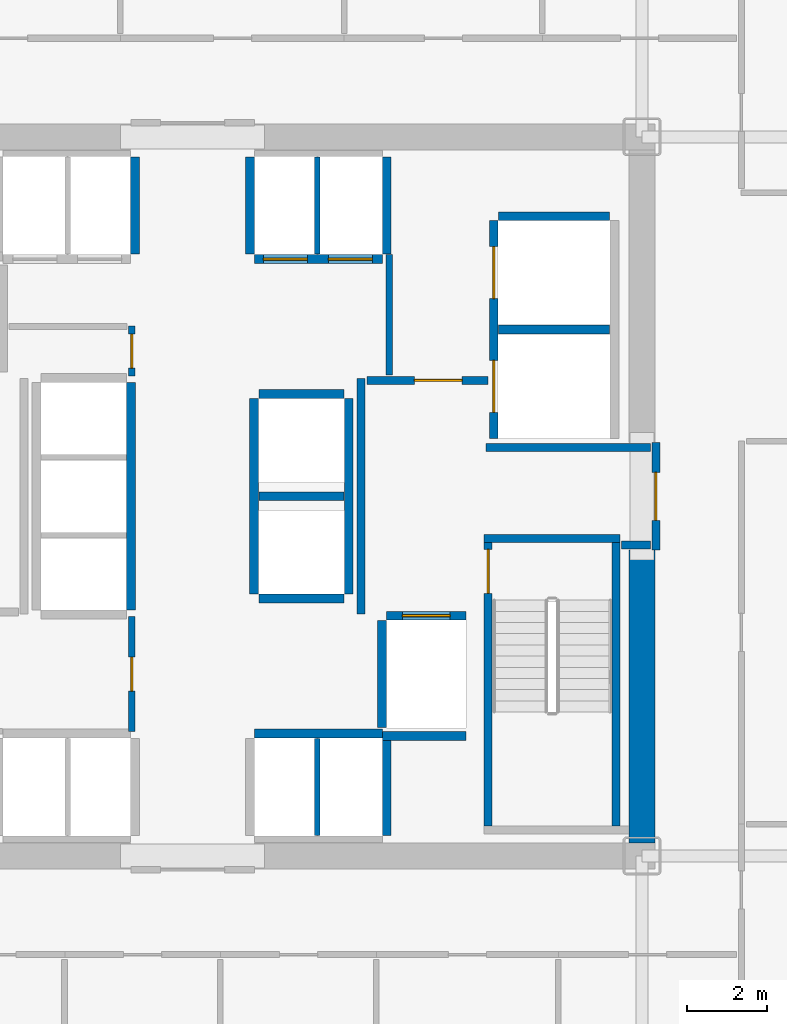
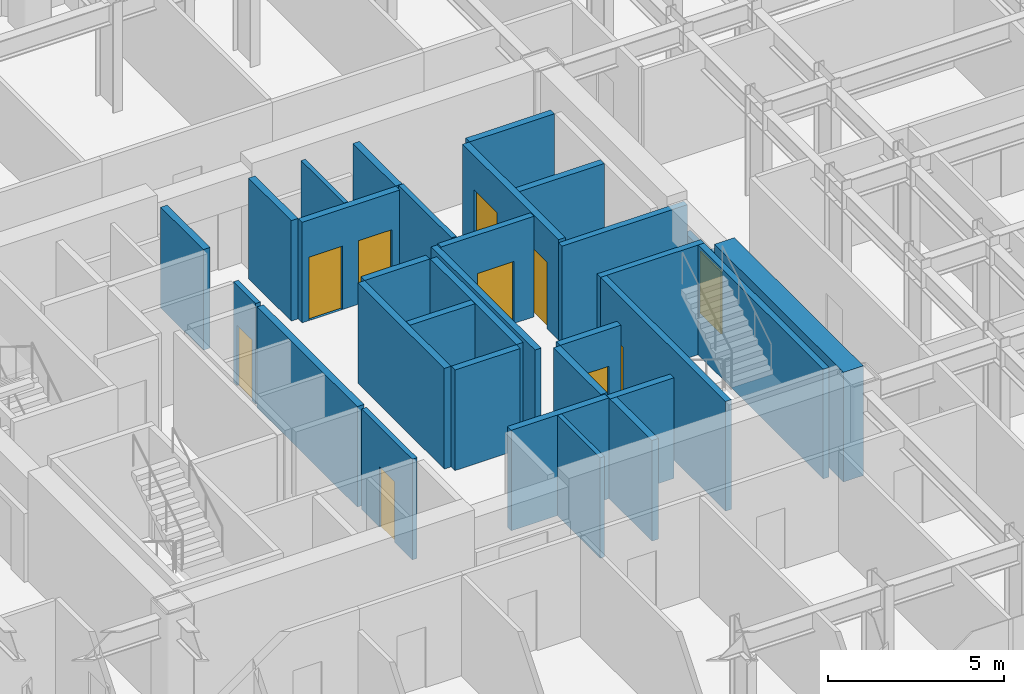
# One storey, part 22 of 26: 32 walls, 10 doors, 10 openings.
"""IFC4 building model written with IfcOpenShell, lengths in metres."""

from ifc_helpers import new_model, si_unit, direction, frame, frame_2d, origin, place, context, subcontext, project, spatial, rectangle, extrude, source, transform, mapped, material, layer, layer_set, type_object, element, fill, save


model = new_model("IFC4")

# Units and contexts
model_context = context("Model", 3, precision=1e-05, world=origin(), true_north=direction((0.0, 1.0)))
body_context = subcontext(model_context, "Body", "Model", "MODEL_VIEW")
ifc_project = project(units=[si_unit("LENGTHUNIT", "METRE"), si_unit("AREAUNIT", "SQUARE_METRE"), si_unit("VOLUMEUNIT", "CUBIC_METRE"), si_unit("PLANEANGLEUNIT", "RADIAN"), si_unit("MASSUNIT", "GRAM", prefix="KILO")], contexts=[model_context])

# Site, building, storey
site_placement = place(None, origin())
site = spatial("IfcSite", under=ifc_project, at=site_placement, CompositionType="ELEMENT")
building_placement = place(site_placement, origin())
building = spatial("IfcBuilding", under=site, at=building_placement, Name="Nefas-Gora Pilgrimage Tower", CompositionType="ELEMENT")
storey_placement = place(building_placement, frame((0.0, 0.0, 82.39990234375)))
storey = spatial("IfcBuildingStorey", under=building, at=storey_placement, Name="L19", CompositionType="ELEMENT", Elevation=82.39990234375)

# Walls
ifc_material_1 = material(Name="Concrete C60/75", Category="concrete")
ifc_layer_1 = layer(ifc_material_1, 0.64990234375)
ifc_layer_set_1 = layer_set([ifc_layer_1], Name="Concrete C60/75")
wall_type_1 = type_object("IfcWallType", Name="SW-CORE-650", PredefinedType="SHEAR", material=ifc_layer_set_1)
shared_shape_1 = source(origin(), body_context, "Body", "SweptSolid", [
    extrude(rectangle(XDim=7.324951171875, YDim=0.64990234375, at=frame_2d((3.66259765625, 0.0))), origin(), (0.0, 0.0, 1.0), 3.800048828125),
])
wall_1_placement = place(storey_placement, frame((11.25, -8.675048828125, 0.0), z_axis=(0.0, 0.0, 1.0), x_axis=(0.0, 1.0, 0.0)))
element("IfcWall", 1, at=wall_1_placement, inside=storey, type_object=wall_type_1, Name="L19 Core Shear Wall E-South", PredefinedType="SHEAR", context=body_context, shape_type="MappedRepresentation", body=[
    mapped(shared_shape_1, transform((0.0, 0.0, 0.0), x_axis=(1.0, 0.0, 0.0), y_axis=(0.0, 1.0, 0.0), z_axis=(0.0, 0.0, 1.0), scale=1.0)),
])
ifc_material_2 = material(Name="Concrete C45/55", Category="concrete")
ifc_layer_2 = layer(ifc_material_2, 0.199951171875)
ifc_layer_set_2 = layer_set([ifc_layer_2], Name="Concrete C45/55")
wall_type_2 = type_object("IfcWallType", Name="IW-STAIR-200", PredefinedType="SOLIDWALL", material=ifc_layer_set_2)
shared_shape_2 = source(origin(), body_context, "Body", "SweptSolid", [
    extrude(rectangle(XDim=3.39990234375, YDim=0.199951171875, at=frame_2d((1.699951171875, 0.0))), origin(), (0.0, 0.0, 1.0), 3.800048828125),
])
wall_2_placement = place(storey_placement, frame((7.300048828125, -1.050048828125, 0.0), z_axis=(0.0, 0.0, 1.0), x_axis=(1.0, 0.0, 0.0)))
element("IfcWall", 2, at=wall_2_placement, inside=storey, type_object=wall_type_2, Name="L19 Stairwell Shear Wall ST-02-near", PredefinedType="SOLIDWALL", context=body_context, shape_type="MappedRepresentation", body=[
    mapped(shared_shape_2, transform((0.0, 0.0, 0.0), x_axis=(1.0, 0.0, 0.0), y_axis=(0.0, 1.0, 0.0), z_axis=(0.0, 0.0, 1.0), scale=1.0)),
])

# Wall, opening, door
shared_shape_3 = source(origin(), body_context, "Body", "SweptSolid", [
    extrude(rectangle(XDim=7.10009765625, YDim=0.199951171875, at=frame_2d((3.550048828125, 0.0))), origin(), (0.0, 0.0, 1.0), 3.800048828125),
])
wall_3_placement = place(storey_placement, frame((7.39990234375, -1.14990234375, 0.0), z_axis=(0.0, 0.0, 1.0), x_axis=(0.0, -1.0, 0.0)))
wall_3 = element("IfcWall", 3, at=wall_3_placement, inside=storey, type_object=wall_type_2, Name="L19 Stairwell Shear Wall ST-02-left", PredefinedType="SOLIDWALL", context=body_context, shape_type="MappedRepresentation", body=[
    mapped(shared_shape_3, transform((0.0, 0.0, 0.0), x_axis=(1.0, 0.0, 0.0), y_axis=(0.0, 1.0, 0.0), z_axis=(0.0, 0.0, 1.0), scale=1.0)),
])
opening_1_placement = place(wall_3_placement, frame((0.179931640625, 0.0, 0.0)))
opening_1 = element("IfcOpeningElement", 4, at=opening_1_placement, cuts=wall_3, Name="Opening ID-ST1", PredefinedType="OPENING", context=body_context, shape_type="SweptSolid", body=[
    extrude(rectangle(XDim=1.10009765625, YDim=2.14990234375, at=frame_2d((0.550048828125, 1.074951171875))), frame((0.0, 0.10986328125, 0.0), z_axis=(0.0, -1.0, 0.0), x_axis=(1.0, 0.0, 0.0)), (0.0, 0.0, 1.0), 0.219970703125),
])
ifc_material_3 = material(Name="Painted galvanised steel fire stair door", Category="steel")
door_type_1 = type_object("IfcDoorType", Name="DR-INT-STAIR-1100", OperationType="NOTDEFINED", PredefinedType="DOOR", material=ifc_material_3)
shared_shape_4 = source(origin(), body_context, "Body", "SweptSolid", [
    extrude(rectangle(XDim=1.10009765625, YDim=2.14990234375, at=frame_2d((0.550048828125, 1.074951171875))), frame((0.0, 0.02490234375, 0.0), z_axis=(0.0, -1.0, 0.0), x_axis=(1.0, 0.0, 0.0)), (0.0, 0.0, 1.0), 0.050048828125),
])
door_1_placement = place(opening_1_placement, origin())
door_1 = element("IfcDoor", 5, at=door_1_placement, inside=storey, type_object=door_type_1, Name="L19 Protected Exit Stair Door ST-02", OperationType="SINGLE_SWING_RIGHT", OverallHeight=2.14990234375, OverallWidth=1.10009765625, PredefinedType="DOOR", context=body_context, shape_type="MappedRepresentation", body=[
    mapped(shared_shape_4, transform((0.0, 0.0, 0.0), x_axis=(1.0, 0.0, 0.0), y_axis=(0.0, 1.0, 0.0), z_axis=(0.0, 0.0, 1.0), scale=1.0)),
])
fill(opening_1, door_1)

# Wall
wall_4_placement = place(storey_placement, frame((10.60009765625, -1.14990234375, 0.0), z_axis=(0.0, 0.0, 1.0), x_axis=(0.0, -1.0, 0.0)))
element("IfcWall", 6, at=wall_4_placement, inside=storey, type_object=wall_type_2, Name="L19 Stairwell Shear Wall ST-02-right", PredefinedType="SOLIDWALL", context=body_context, shape_type="MappedRepresentation", body=[
    mapped(shared_shape_3, transform((0.0, 0.0, 0.0), x_axis=(1.0, 0.0, 0.0), y_axis=(0.0, 1.0, 0.0), z_axis=(0.0, 0.0, 1.0), scale=1.0)),
])

# Wall, opening, door
ifc_material_4 = material(Name="Concrete C40/50", Category="concrete")
ifc_layer_3 = layer(ifc_material_4, 0.219970703125)
ifc_layer_set_3 = layer_set([ifc_layer_3], Name="Concrete C40/50")
wall_type_3 = type_object("IfcWallType", Name="IW-SHAFT-220", PredefinedType="SOLIDWALL", material=ifc_layer_set_3)
shared_shape_5 = source(origin(), body_context, "Body", "SweptSolid", [
    extrude(rectangle(XDim=2.0, YDim=0.219970703125, at=frame_2d((1.0, 0.0))), origin(), (0.0, 0.0, 1.0), 3.485107421875),
])
wall_5_placement = place(storey_placement, frame((6.85009765625, -2.989990234375, 0.0), z_axis=(0.0, 0.0, 1.0), x_axis=(-1.0, 0.0, 0.0)))
wall_5 = element("IfcWall", 7, at=wall_5_placement, inside=storey, type_object=wall_type_3, Name="L19 Hoistway Wall FFL-02-N", PredefinedType="SOLIDWALL", context=body_context, shape_type="MappedRepresentation", body=[
    mapped(shared_shape_5, transform((0.0, 0.0, 0.0), x_axis=(1.0, 0.0, 0.0), y_axis=(0.0, 1.0, 0.0), z_axis=(0.0, 0.0, 1.0), scale=1.0)),
])
opening_2_placement = place(wall_5_placement, frame((0.39990234375, 0.0, 0.0)))
opening_2 = element("IfcOpeningElement", 8, at=opening_2_placement, cuts=wall_5, Name="Opening LD-FF", PredefinedType="OPENING", context=body_context, shape_type="SweptSolid", body=[
    extrude(rectangle(XDim=1.199951171875, YDim=2.199951171875, at=frame_2d((0.60009765625, 1.10009765625))), frame((0.0, 0.119873046875, 0.0), z_axis=(0.0, -1.0, 0.0), x_axis=(1.0, 0.0, 0.0)), (0.0, 0.0, 1.0), 0.239990234375),
])
ifc_material_5 = material(Name="Fire-service sliding lift landing door")
door_type_2 = type_object("IfcDoorType", Name="DR-LIFT-FSAE-1200", OperationType="SLIDING_TO_LEFT", PredefinedType="DOOR", material=ifc_material_5)
shared_shape_6 = source(origin(), body_context, "Body", "SweptSolid", [
    extrude(rectangle(XDim=1.199951171875, YDim=2.199951171875, at=frame_2d((0.60009765625, 1.10009765625))), frame((0.0, 0.02490234375, 0.0), z_axis=(0.0, -1.0, 0.0), x_axis=(1.0, 0.0, 0.0)), (0.0, 0.0, 1.0), 0.050048828125),
])
door_2_placement = place(opening_2_placement, origin())
door_2 = element("IfcDoor", 9, at=door_2_placement, inside=storey, type_object=door_type_2, Name="L19 Sliding Lift Landing Door FFL-02", OperationType="SLIDING_TO_LEFT", OverallHeight=2.199951171875, OverallWidth=1.199951171875, PredefinedType="DOOR", context=body_context, shape_type="MappedRepresentation", body=[
    mapped(shared_shape_6, transform((0.0, 0.0, 0.0), x_axis=(1.0, 0.0, 0.0), y_axis=(0.0, 1.0, 0.0), z_axis=(0.0, 0.0, 1.0), scale=1.0)),
])
fill(opening_2, door_2)

# Wall
shared_shape_7 = source(origin(), body_context, "Body", "SweptSolid", [
    extrude(rectangle(XDim=2.679931640625, YDim=0.219970703125, at=frame_2d((1.33984375, 0.0))), origin(), (0.0, 0.0, 1.0), 3.485107421875),
])
wall_6_placement = place(storey_placement, frame((4.739990234375, -3.110107421875, 0.0), z_axis=(0.0, 0.0, 1.0), x_axis=(0.0, -1.0, 0.0)))
element("IfcWall", 10, at=wall_6_placement, inside=storey, type_object=wall_type_3, Name="L19 Hoistway Wall FFL-02-W", PredefinedType="SOLIDWALL", context=body_context, shape_type="MappedRepresentation", body=[
    mapped(shared_shape_7, transform((0.0, 0.0, 0.0), x_axis=(1.0, 0.0, 0.0), y_axis=(0.0, 1.0, 0.0), z_axis=(0.0, 0.0, 1.0), scale=1.0)),
])

# Wall, openings, doors
shared_shape_8 = source(origin(), body_context, "Body", "SweptSolid", [
    extrude(rectangle(XDim=5.449951171875, YDim=0.219970703125, at=frame_2d((2.72509765625, 0.0))), origin(), (0.0, 0.0, 1.0), 3.485107421875),
])
wall_7_placement = place(storey_placement, frame((7.5400390625, 6.89990234375, 0.0), z_axis=(0.0, 0.0, 1.0), x_axis=(0.0, -1.0, 0.0)))
wall_7 = element("IfcWall", 11, at=wall_7_placement, inside=storey, type_object=wall_type_3, Name="L19 Hoistway Wall SL-01-02-W", PredefinedType="SOLIDWALL", context=body_context, shape_type="MappedRepresentation", body=[
    mapped(shared_shape_8, transform((0.0, 0.0, 0.0), x_axis=(1.0, 0.0, 0.0), y_axis=(0.0, 1.0, 0.0), z_axis=(0.0, 0.0, 1.0), scale=1.0)),
])
opening_3_placement = place(wall_7_placement, frame((3.5, 0.0, 0.0)))
opening_3 = element("IfcOpeningElement", 12, at=opening_3_placement, cuts=wall_7, Name="Opening LD-SV", PredefinedType="OPENING", context=body_context, shape_type="SweptSolid", body=[
    extrude(rectangle(XDim=1.300048828125, YDim=2.300048828125, at=frame_2d((0.64990234375, 1.14990234375))), frame((0.0, 0.119873046875, 0.0), z_axis=(0.0, -1.0, 0.0), x_axis=(1.0, 0.0, 0.0)), (0.0, 0.0, 1.0), 0.239990234375),
])
opening_4_placement = place(wall_7_placement, frame((0.64990234375, 0.0, 0.0)))
opening_4 = element("IfcOpeningElement", 13, at=opening_4_placement, cuts=wall_7, Name="Opening LD-SV", PredefinedType="OPENING", context=body_context, shape_type="SweptSolid", body=[
    extrude(rectangle(XDim=1.300048828125, YDim=2.300048828125, at=frame_2d((0.64990234375, 1.14990234375))), frame((0.0, 0.119873046875, 0.0), z_axis=(0.0, -1.0, 0.0), x_axis=(1.0, 0.0, 0.0)), (0.0, 0.0, 1.0), 0.239990234375),
])
ifc_material_6 = material(Name="Heavy goods sliding lift landing door")
door_type_3 = type_object("IfcDoorType", Name="DR-LIFT-SERV-1300", OperationType="SLIDING_TO_RIGHT", PredefinedType="DOOR", material=ifc_material_6)
shared_shape_9 = source(origin(), body_context, "Body", "SweptSolid", [
    extrude(rectangle(XDim=1.300048828125, YDim=2.300048828125, at=frame_2d((0.64990234375, 1.14990234375))), frame((0.0, 0.02490234375, 0.0), z_axis=(0.0, -1.0, 0.0), x_axis=(1.0, 0.0, 0.0)), (0.0, 0.0, 1.0), 0.050048828125),
])
door_3_placement = place(opening_3_placement, origin())
door_3 = element("IfcDoor", 14, at=door_3_placement, inside=storey, type_object=door_type_3, Name="L19 Sliding Lift Landing Door SL-01", OperationType="SLIDING_TO_RIGHT", OverallHeight=2.300048828125, OverallWidth=1.300048828125, PredefinedType="DOOR", context=body_context, shape_type="MappedRepresentation", body=[
    mapped(shared_shape_9, transform((0.0, 0.0, 0.0), x_axis=(1.0, 0.0, 0.0), y_axis=(0.0, 1.0, 0.0), z_axis=(0.0, 0.0, 1.0), scale=1.0)),
])
fill(opening_3, door_3)
door_4_placement = place(opening_4_placement, origin())
door_4 = element("IfcDoor", 15, at=door_4_placement, inside=storey, type_object=door_type_3, Name="L19 Sliding Lift Landing Door SL-02", OperationType="SLIDING_TO_RIGHT", OverallHeight=2.300048828125, OverallWidth=1.300048828125, PredefinedType="DOOR", context=body_context, shape_type="MappedRepresentation", body=[
    mapped(shared_shape_9, transform((0.0, 0.0, 0.0), x_axis=(1.0, 0.0, 0.0), y_axis=(0.0, 1.0, 0.0), z_axis=(0.0, 0.0, 1.0), scale=1.0)),
])
fill(opening_4, door_4)

# Walls
shared_shape_10 = source(origin(), body_context, "Body", "SweptSolid", [
    extrude(rectangle(XDim=2.780029296875, YDim=0.219970703125, at=frame_2d((1.39013671875, 0.0))), origin(), (0.0, 0.0, 1.0), 3.485107421875),
])
for number, where, z_axis, x_axis, name in (
    (16, (7.659912109375, 4.175048828125, 0.0), (0.0, 0.0, 1.0), (1.0, 0.0, 0.0), "L19 Hoistway Wall SL-01-02-DIV"),
    (17, (10.43994140625, 7.010009765625, 0.0), (0.0, 0.0, 1.0), (-1.0, 0.0, 0.0), "L19 Hoistway Wall SL-02-N"),
):
    element("IfcWall", number, at=place(storey_placement, frame(where, z_axis=z_axis, x_axis=x_axis)), inside=storey, type_object=wall_type_3, Name=name, PredefinedType="SOLIDWALL", context=body_context, shape_type="MappedRepresentation", body=[
        mapped(shared_shape_10, transform((0.0, 0.0, 0.0), x_axis=(1.0, 0.0, 0.0), y_axis=(0.0, 1.0, 0.0), z_axis=(0.0, 0.0, 1.0), scale=1.0)),
    ])

# Wall, openings, doors
shared_shape_11 = source(origin(), body_context, "Body", "SweptSolid", [
    extrude(rectangle(XDim=3.199951171875, YDim=0.219970703125, at=frame_2d((1.60009765625, 0.0))), origin(), (0.0, 0.0, 1.0), 3.485107421875),
])
wall_8_placement = place(storey_placement, frame((1.550048828125, 5.93994140625, 0.0), z_axis=(0.0, 0.0, 1.0), x_axis=(1.0, 0.0, 0.0)))
wall_8 = element("IfcWall", 18, at=wall_8_placement, inside=storey, type_object=wall_type_3, Name="L19 Hoistway Wall PL1-E-S", PredefinedType="SOLIDWALL", context=body_context, shape_type="MappedRepresentation", body=[
    mapped(shared_shape_11, transform((0.0, 0.0, 0.0), x_axis=(1.0, 0.0, 0.0), y_axis=(0.0, 1.0, 0.0), z_axis=(0.0, 0.0, 1.0), scale=1.0)),
])
opening_5_placement = place(wall_8_placement, frame((0.22509765625, 0.0, 0.0)))
opening_5 = element("IfcOpeningElement", 19, at=opening_5_placement, cuts=wall_8, Name="Opening LD-01", PredefinedType="OPENING", context=body_context, shape_type="SweptSolid", body=[
    extrude(rectangle(XDim=1.10009765625, YDim=2.199951171875, at=frame_2d((0.550048828125, 1.10009765625))), frame((0.0, 0.119873046875, 0.0), z_axis=(0.0, -1.0, 0.0), x_axis=(1.0, 0.0, 0.0)), (0.0, 0.0, 1.0), 0.239990234375),
])
opening_6_placement = place(wall_8_placement, frame((1.85009765625, 0.0, 0.0)))
opening_6 = element("IfcOpeningElement", 20, at=opening_6_placement, cuts=wall_8, Name="Opening LD-01", PredefinedType="OPENING", context=body_context, shape_type="SweptSolid", body=[
    extrude(rectangle(XDim=1.10009765625, YDim=2.199951171875, at=frame_2d((0.550048828125, 1.10009765625))), frame((0.0, 0.119873046875, 0.0), z_axis=(0.0, -1.0, 0.0), x_axis=(1.0, 0.0, 0.0)), (0.0, 0.0, 1.0), 0.239990234375),
])
ifc_material_7 = material(Name="Brushed stainless sliding lift landing door")
door_type_4 = type_object("IfcDoorType", Name="DR-LIFT-PASS-1100", OperationType="DOUBLE_DOOR_SLIDING", PredefinedType="DOOR", material=ifc_material_7)
shared_shape_12 = source(origin(), body_context, "Body", "SweptSolid", [
    extrude(rectangle(XDim=1.10009765625, YDim=2.199951171875, at=frame_2d((0.550048828125, 1.10009765625))), frame((0.0, 0.02490234375, 0.0), z_axis=(0.0, -1.0, 0.0), x_axis=(1.0, 0.0, 0.0)), (0.0, 0.0, 1.0), 0.050048828125),
])
door_5_placement = place(opening_5_placement, origin())
door_5 = element("IfcDoor", 21, at=door_5_placement, inside=storey, type_object=door_type_4, Name="L19 Sliding Lift Landing Door PL1-03", OperationType="DOUBLE_DOOR_SLIDING", OverallHeight=2.199951171875, OverallWidth=1.10009765625, PredefinedType="DOOR", context=body_context, shape_type="MappedRepresentation", body=[
    mapped(shared_shape_12, transform((0.0, 0.0, 0.0), x_axis=(1.0, 0.0, 0.0), y_axis=(0.0, 1.0, 0.0), z_axis=(0.0, 0.0, 1.0), scale=1.0)),
])
fill(opening_5, door_5)
door_6_placement = place(opening_6_placement, origin())
door_6 = element("IfcDoor", 22, at=door_6_placement, inside=storey, type_object=door_type_4, Name="L19 Sliding Lift Landing Door PL1-04", OperationType="DOUBLE_DOOR_SLIDING", OverallHeight=2.199951171875, OverallWidth=1.10009765625, PredefinedType="DOOR", context=body_context, shape_type="MappedRepresentation", body=[
    mapped(shared_shape_12, transform((0.0, 0.0, 0.0), x_axis=(1.0, 0.0, 0.0), y_axis=(0.0, 1.0, 0.0), z_axis=(0.0, 0.0, 1.0), scale=1.0)),
])
fill(opening_6, door_6)

# Walls
wall_9_placement = place(storey_placement, frame((4.75, -5.93994140625, 0.0), z_axis=(0.0, 0.0, 1.0), x_axis=(-1.0, 0.0, 0.0)))
element("IfcWall", 23, at=wall_9_placement, inside=storey, type_object=wall_type_3, Name="L19 Hoistway Wall PL2-E-N", PredefinedType="SOLIDWALL", context=body_context, shape_type="MappedRepresentation", body=[
    mapped(shared_shape_11, transform((0.0, 0.0, 0.0), x_axis=(1.0, 0.0, 0.0), y_axis=(0.0, 1.0, 0.0), z_axis=(0.0, 0.0, 1.0), scale=1.0)),
])
shared_shape_13 = source(origin(), body_context, "Body", "SweptSolid", [
    extrude(rectangle(XDim=2.429931640625, YDim=0.219970703125, at=frame_2d((1.21484375, 0.0))), origin(), (0.0, 0.0, 1.0), 3.485107421875),
])
for number, where, z_axis, x_axis, name in (
    (24, (-1.43994140625, 6.06005859375, 0.0), (0.0, 0.0, 1.0), (0.0, 1.0, 0.0), "L19 Hoistway Wall PL1-W-E"),
    (25, (1.43994140625, 8.489990234375, 0.0), (0.0, 0.0, 1.0), (0.0, -1.0, 0.0), "L19 Hoistway Wall PL1-E-W"),
    (26, (4.860107421875, 6.06005859375, 0.0), (0.0, 0.0, 1.0), (0.0, 1.0, 0.0), "L19 Hoistway Wall PL1-E-E"),
    (27, (4.860107421875, -8.489990234375, 0.0), (0.0, 0.0, 1.0), (0.0, 1.0, 0.0), "L19 Hoistway Wall PL2-E-E"),
):
    element("IfcWall", number, at=place(storey_placement, frame(where, z_axis=z_axis, x_axis=x_axis)), inside=storey, type_object=wall_type_3, Name=name, PredefinedType="SOLIDWALL", context=body_context, shape_type="MappedRepresentation", body=[
        mapped(shared_shape_13, transform((0.0, 0.0, 0.0), x_axis=(1.0, 0.0, 0.0), y_axis=(0.0, 1.0, 0.0), z_axis=(0.0, 0.0, 1.0), scale=1.0)),
    ])
ifc_material_8 = material(Name="Gypsum twin-stud partition")
ifc_layer_4 = layer(ifc_material_8, 0.139892578125)
ifc_layer_set_4 = layer_set([ifc_layer_4], Name="Gypsum twin-stud partition")
wall_type_4 = type_object("IfcWallType", Name="IW-UNIT-140", PredefinedType="PARTITIONING", material=ifc_layer_set_4)
shared_shape_14 = source(origin(), body_context, "Body", "SweptSolid", [
    extrude(rectangle(XDim=2.429931640625, YDim=0.139892578125, at=frame_2d((1.21484375, 0.0))), origin(), (0.0, 0.0, 1.0), 3.485107421875),
])
for number, where, z_axis, x_axis, name in (
    (28, (3.125, 6.06005859375, 0.0), (0.0, 0.0, 1.0), (0.0, 1.0, 0.0), "L19 Hoistway Wall PL1-E-DIV"),
    (29, (3.125, -8.489990234375, 0.0), (0.0, 0.0, 1.0), (0.0, 1.0, 0.0), "L19 Hoistway Wall PL2-E-DIV"),
):
    element("IfcWall", number, at=place(storey_placement, frame(where, z_axis=z_axis, x_axis=x_axis)), inside=storey, type_object=wall_type_4, Name=name, PredefinedType="PARTITIONING", context=body_context, shape_type="MappedRepresentation", body=[
        mapped(shared_shape_14, transform((0.0, 0.0, 0.0), x_axis=(1.0, 0.0, 0.0), y_axis=(0.0, 1.0, 0.0), z_axis=(0.0, 0.0, 1.0), scale=1.0)),
    ])
shared_shape_15 = source(origin(), body_context, "Body", "SweptSolid", [
    extrude(rectangle(XDim=5.7001953125, YDim=0.219970703125, at=frame_2d((2.85009765625, 0.0))), origin(), (0.0, 0.0, 1.0), 3.485107421875),
])
wall_10_placement = place(storey_placement, frame((-1.5400390625, -2.85009765625, 0.0), z_axis=(0.0, 0.0, 1.0), x_axis=(0.0, 1.0, 0.0)))
element("IfcWall", 30, at=wall_10_placement, inside=storey, type_object=wall_type_3, Name="L19 Hoistway Wall PL3-01-03-E", PredefinedType="SOLIDWALL", context=body_context, shape_type="MappedRepresentation", body=[
    mapped(shared_shape_15, transform((0.0, 0.0, 0.0), x_axis=(1.0, 0.0, 0.0), y_axis=(0.0, 1.0, 0.0), z_axis=(0.0, 0.0, 1.0), scale=1.0)),
])
shared_shape_16 = source(origin(), body_context, "Body", "SweptSolid", [
    extrude(rectangle(XDim=2.130126953125, YDim=0.219970703125, at=frame_2d((1.06494140625, 0.0))), origin(), (0.0, 0.0, 1.0), 3.485107421875),
])
for number, where, z_axis, x_axis, name in (
    (31, (1.659912109375, -2.56005859375, 0.0), (0.0, 0.0, 1.0), (1.0, 0.0, 0.0), "L19 Hoistway Wall OBS-01-S"),
    (32, (1.659912109375, 0.0, 0.0), (0.0, 0.0, 1.0), (1.0, 0.0, 0.0), "L19 Hoistway Wall OBS-01-02-DIV"),
    (33, (3.7900390625, 2.56005859375, 0.0), (0.0, 0.0, 1.0), (-1.0, 0.0, 0.0), "L19 Hoistway Wall OBS-02-N"),
):
    element("IfcWall", number, at=place(storey_placement, frame(where, z_axis=z_axis, x_axis=x_axis)), inside=storey, type_object=wall_type_3, Name=name, PredefinedType="SOLIDWALL", context=body_context, shape_type="MappedRepresentation", body=[
        mapped(shared_shape_16, transform((0.0, 0.0, 0.0), x_axis=(1.0, 0.0, 0.0), y_axis=(0.0, 1.0, 0.0), z_axis=(0.0, 0.0, 1.0), scale=1.0)),
    ])
shared_shape_17 = source(origin(), body_context, "Body", "SweptSolid", [
    extrude(rectangle(XDim=4.89990234375, YDim=0.219970703125, at=frame_2d((2.449951171875, 0.0))), origin(), (0.0, 0.0, 1.0), 3.485107421875),
])
for number, where, z_axis, x_axis, name in (
    (34, (1.5400390625, 2.449951171875, 0.0), (0.0, 0.0, 1.0), (0.0, -1.0, 0.0), "L19 Hoistway Wall OBS-01-02-W"),
    (35, (3.909912109375, -2.449951171875, 0.0), (0.0, 0.0, 1.0), (0.0, 1.0, 0.0), "L19 Hoistway Wall OBS-01-02-E"),
):
    element("IfcWall", number, at=place(storey_placement, frame(where, z_axis=z_axis, x_axis=x_axis)), inside=storey, type_object=wall_type_3, Name=name, PredefinedType="SOLIDWALL", context=body_context, shape_type="MappedRepresentation", body=[
        mapped(shared_shape_17, transform((0.0, 0.0, 0.0), x_axis=(1.0, 0.0, 0.0), y_axis=(0.0, 1.0, 0.0), z_axis=(0.0, 0.0, 1.0), scale=1.0)),
    ])
shared_shape_18 = source(origin(), body_context, "Body", "SweptSolid", [
    extrude(rectangle(XDim=2.09521484375, YDim=0.219970703125, at=frame_2d((1.047607421875, 0.0))), origin(), (0.0, 0.0, 1.0), 3.485107421875),
])
wall_11_placement = place(storey_placement, frame((4.7548828125, -6.0, 0.0), z_axis=(0.0, 0.0, 1.0), x_axis=(1.0, 0.0, 0.0)))
element("IfcWall", 36, at=wall_11_placement, inside=storey, type_object=wall_type_3, Name="L19 Riser Shaft Wall 2", PredefinedType="SOLIDWALL", context=body_context, shape_type="MappedRepresentation", body=[
    mapped(shared_shape_18, transform((0.0, 0.0, 0.0), x_axis=(1.0, 0.0, 0.0), y_axis=(0.0, 1.0, 0.0), z_axis=(0.0, 0.0, 1.0), scale=1.0)),
])

# Wall, opening, door
ifc_material_9 = material(Name="Gypsum fire-rated shaftwall")
ifc_layer_5 = layer(ifc_material_9, 0.199951171875)
ifc_layer_set_5 = layer_set([ifc_layer_5], Name="Gypsum fire-rated shaftwall")
wall_type_5 = type_object("IfcWallType", Name="IW-FFLOB-200", PredefinedType="PARTITIONING", material=ifc_layer_set_5)
shared_shape_19 = source(origin(), body_context, "Body", "SweptSolid", [
    extrude(rectangle(XDim=2.7001953125, YDim=0.199951171875, at=frame_2d((1.35009765625, 0.0))), origin(), (0.0, 0.0, 1.0), 2.375),
])
wall_12_placement = place(storey_placement, frame((11.60009765625, -1.35009765625, 0.0), z_axis=(0.0, 0.0, 1.0), x_axis=(0.0, 1.0, 0.0)))
wall_12 = element("IfcWall", 37, at=wall_12_placement, inside=storey, type_object=wall_type_5, Name="L19 FF Lobby East Portal Wall 8", PredefinedType="PARTITIONING", context=body_context, shape_type="MappedRepresentation", body=[
    mapped(shared_shape_19, transform((0.0, 0.0, 0.0), x_axis=(1.0, 0.0, 0.0), y_axis=(0.0, 1.0, 0.0), z_axis=(0.0, 0.0, 1.0), scale=1.0)),
])
opening_7_placement = place(wall_12_placement, frame((0.75, 0.0, 0.0)))
opening_7 = element("IfcOpeningElement", 38, at=opening_7_placement, cuts=wall_12, Name="Opening ID-FF1", PredefinedType="OPENING", context=body_context, shape_type="SweptSolid", body=[
    extrude(rectangle(XDim=1.199951171875, YDim=2.14990234375, at=frame_2d((0.60009765625, 1.074951171875))), frame((0.0, 0.10986328125, 0.0), z_axis=(0.0, -1.0, 0.0), x_axis=(1.0, 0.0, 0.0)), (0.0, 0.0, 1.0), 0.219970703125),
])
ifc_material_10 = material(Name="Smoke-sealed steel firefighting lobby door", Category="steel")
door_type_5 = type_object("IfcDoorType", Name="DR-INT-FFLOB-1200", OperationType="NOTDEFINED", PredefinedType="DOOR", material=ifc_material_10)
shared_shape_20 = source(origin(), body_context, "Body", "SweptSolid", [
    extrude(rectangle(XDim=1.199951171875, YDim=2.14990234375, at=frame_2d((0.60009765625, 1.074951171875))), frame((0.0, 0.02490234375, 0.0), z_axis=(0.0, -1.0, 0.0), x_axis=(1.0, 0.0, 0.0)), (0.0, 0.0, 1.0), 0.050048828125),
])
door_7_placement = place(opening_7_placement, origin())
door_7 = element("IfcDoor", 39, at=door_7_placement, inside=storey, type_object=door_type_5, Name="L19 FF Lobby East Portal Door 2", OperationType="SINGLE_SWING_LEFT", OverallHeight=2.14990234375, OverallWidth=1.199951171875, PredefinedType="DOOR", context=body_context, shape_type="MappedRepresentation", body=[
    mapped(shared_shape_20, transform((0.0, 0.0, 0.0), x_axis=(1.0, 0.0, 0.0), y_axis=(0.0, 1.0, 0.0), z_axis=(0.0, 0.0, 1.0), scale=1.0)),
])
fill(opening_7, door_7)

# Walls
shared_shape_21 = source(origin(), body_context, "Body", "SweptSolid", [
    extrude(rectangle(XDim=5.89990234375, YDim=0.199951171875, at=frame_2d((2.949951171875, 0.0))), origin(), (0.0, 0.0, 1.0), 3.485107421875),
])
wall_13_placement = place(storey_placement, frame((4.219970703125, -2.949951171875, 0.0), z_axis=(0.0, 0.0, 1.0), x_axis=(0.0, 1.0, 0.0)))
element("IfcWall", 40, at=wall_13_placement, inside=storey, type_object=wall_type_5, Name="L19 FF Lobby East Inner Wall Wall 9", PredefinedType="PARTITIONING", context=body_context, shape_type="MappedRepresentation", body=[
    mapped(shared_shape_21, transform((0.0, 0.0, 0.0), x_axis=(1.0, 0.0, 0.0), y_axis=(0.0, 1.0, 0.0), z_axis=(0.0, 0.0, 1.0), scale=1.0)),
])
shared_shape_22 = source(origin(), body_context, "Body", "SweptSolid", [
    extrude(rectangle(XDim=0.719970703125, YDim=0.199951171875, at=frame_2d((0.35986328125, 0.0))), origin(), (0.0, 0.0, 1.0), 3.485107421875),
])
wall_14_placement = place(storey_placement, frame((10.739990234375, -1.219970703125, 0.0), z_axis=(0.0, 0.0, 1.0), x_axis=(1.0, 0.0, 0.0)))
element("IfcWall", 41, at=wall_14_placement, inside=storey, type_object=wall_type_5, Name="L19 FF Lobby East Throat S Wall 12", PredefinedType="PARTITIONING", context=body_context, shape_type="MappedRepresentation", body=[
    mapped(shared_shape_22, transform((0.0, 0.0, 0.0), x_axis=(1.0, 0.0, 0.0), y_axis=(0.0, 1.0, 0.0), z_axis=(0.0, 0.0, 1.0), scale=1.0)),
])

# Wall, opening, door
shared_shape_23 = source(origin(), body_context, "Body", "SweptSolid", [
    extrude(rectangle(XDim=3.039794921875, YDim=0.199951171875, at=frame_2d((1.52001953125, 0.0))), origin(), (0.0, 0.0, 1.0), 3.485107421875),
])
wall_15_placement = place(storey_placement, frame((4.360107421875, 2.89990234375, 0.0), z_axis=(0.0, 0.0, 1.0), x_axis=(1.0, 0.0, 0.0)))
wall_15 = element("IfcWall", 42, at=wall_15_placement, inside=storey, type_object=wall_type_5, Name="L19 FF Lobby East North Wall Wall 10", PredefinedType="PARTITIONING", context=body_context, shape_type="MappedRepresentation", body=[
    mapped(shared_shape_23, transform((0.0, 0.0, 0.0), x_axis=(1.0, 0.0, 0.0), y_axis=(0.0, 1.0, 0.0), z_axis=(0.0, 0.0, 1.0), scale=1.0)),
])
opening_8_placement = place(wall_15_placement, frame((1.18994140625, 0.0, 0.0)))
opening_8 = element("IfcOpeningElement", 43, at=opening_8_placement, cuts=wall_15, Name="Opening ID-PL1", PredefinedType="OPENING", context=body_context, shape_type="SweptSolid", body=[
    extrude(rectangle(XDim=1.199951171875, YDim=2.14990234375, at=frame_2d((0.60009765625, 1.074951171875))), frame((0.0, 0.10986328125, 0.0), z_axis=(0.0, -1.0, 0.0), x_axis=(1.0, 0.0, 0.0)), (0.0, 0.0, 1.0), 0.219970703125),
])
ifc_material_11 = material(Name="Heavy-duty steel plant room fire door", Category="steel")
door_type_6 = type_object("IfcDoorType", Name="DR-INT-PLANT-1200", OperationType="NOTDEFINED", PredefinedType="DOOR", material=ifc_material_11)
door_8_placement = place(opening_8_placement, origin())
door_8 = element("IfcDoor", 44, at=door_8_placement, inside=storey, type_object=door_type_6, Name="L19 Service Lift Lobby Door Door 3", OperationType="SINGLE_SWING_RIGHT", OverallHeight=2.14990234375, OverallWidth=1.199951171875, PredefinedType="DOOR", context=body_context, shape_type="MappedRepresentation", body=[
    mapped(shared_shape_20, transform((0.0, 0.0, 0.0), x_axis=(1.0, 0.0, 0.0), y_axis=(0.0, 1.0, 0.0), z_axis=(0.0, 0.0, 1.0), scale=1.0)),
])
fill(opening_8, door_8)

# Walls
shared_shape_24 = source(origin(), body_context, "Body", "SweptSolid", [
    extrude(rectangle(XDim=4.10986328125, YDim=0.199951171875, at=frame_2d((2.054931640625, 0.0))), origin(), (0.0, 0.0, 1.0), 3.485107421875),
])
wall_16_placement = place(storey_placement, frame((7.35009765625, 1.219970703125, 0.0), z_axis=(0.0, 0.0, 1.0), x_axis=(1.0, 0.0, 0.0)))
element("IfcWall", 45, at=wall_16_placement, inside=storey, type_object=wall_type_5, Name="L19 FF Lobby East Throat N Wall 11", PredefinedType="PARTITIONING", context=body_context, shape_type="MappedRepresentation", body=[
    mapped(shared_shape_24, transform((0.0, 0.0, 0.0), x_axis=(1.0, 0.0, 0.0), y_axis=(0.0, 1.0, 0.0), z_axis=(0.0, 0.0, 1.0), scale=1.0)),
])
ifc_material_12 = material(Name="Gypsum acoustic stud partition")
ifc_layer_6 = layer(ifc_material_12, 0.159912109375)
ifc_layer_set_6 = layer_set([ifc_layer_6], Name="Gypsum acoustic stud partition")
wall_type_6 = type_object("IfcWallType", Name="IW-CORR-160", PredefinedType="PARTITIONING", material=ifc_layer_set_6)
shared_shape_25 = source(origin(), body_context, "Body", "SweptSolid", [
    extrude(rectangle(XDim=3.014892578125, YDim=0.159912109375, at=frame_2d((1.50732421875, 0.0))), origin(), (0.0, 0.0, 1.0), 3.485107421875),
])
wall_17_placement = place(storey_placement, frame((4.919921875, 3.0400390625, 0.0), z_axis=(0.0, 0.0, 1.0), x_axis=(0.0, 1.0, 0.0)))
element("IfcWall", 46, at=wall_17_placement, inside=storey, type_object=wall_type_6, Name="L19 Service Lift Lobby West Wall Wall 15", PredefinedType="PARTITIONING", context=body_context, shape_type="MappedRepresentation", body=[
    mapped(shared_shape_25, transform((0.0, 0.0, 0.0), x_axis=(1.0, 0.0, 0.0), y_axis=(0.0, 1.0, 0.0), z_axis=(0.0, 0.0, 1.0), scale=1.0)),
])

# Wall, opening, door
shared_shape_26 = source(origin(), body_context, "Body", "SweptSolid", [
    extrude(rectangle(XDim=1.25, YDim=0.159912109375, at=frame_2d((0.625, 0.0))), origin(), (0.0, 0.0, 1.0), 3.485107421875),
])
wall_18_placement = place(storey_placement, frame((-1.52001953125, 3.010009765625, 0.0), z_axis=(0.0, 0.0, 1.0), x_axis=(0.0, 1.0, 0.0)))
wall_18 = element("IfcWall", 47, at=wall_18_placement, inside=storey, type_object=wall_type_6, Name="L19 Housekeeping and Linen Store Wall 20", PredefinedType="PARTITIONING", context=body_context, shape_type="MappedRepresentation", body=[
    mapped(shared_shape_26, transform((0.0, 0.0, 0.0), x_axis=(1.0, 0.0, 0.0), y_axis=(0.0, 1.0, 0.0), z_axis=(0.0, 0.0, 1.0), scale=1.0)),
])
opening_9_placement = place(wall_18_placement, frame((0.199951171875, 0.0, 0.0)))
opening_9 = element("IfcOpeningElement", 48, at=opening_9_placement, cuts=wall_18, Name="Opening ID-BT1", PredefinedType="OPENING", context=body_context, shape_type="SweptSolid", body=[
    extrude(rectangle(XDim=0.85009765625, YDim=2.10009765625, at=frame_2d((0.425048828125, 1.050048828125))), frame((0.0, 0.08984375, 0.0), z_axis=(0.0, -1.0, 0.0), x_axis=(1.0, 0.0, 0.0)), (0.0, 0.0, 1.0), 0.179931640625),
])
ifc_material_13 = material(Name="Moisture-resistant fire-rated timber door", Category="wood")
door_type_7 = type_object("IfcDoorType", Name="DR-INT-BATH-850", OperationType="NOTDEFINED", PredefinedType="DOOR", material=ifc_material_13)
shared_shape_27 = source(origin(), body_context, "Body", "SweptSolid", [
    extrude(rectangle(XDim=0.85009765625, YDim=2.10009765625, at=frame_2d((0.425048828125, 1.050048828125))), frame((0.0, 0.02490234375, 0.0), z_axis=(0.0, -1.0, 0.0), x_axis=(1.0, 0.0, 0.0)), (0.0, 0.0, 1.0), 0.050048828125),
])
door_9_placement = place(opening_9_placement, origin())
door_9 = element("IfcDoor", 49, at=door_9_placement, inside=storey, type_object=door_type_7, Name="L19 Housekeeping and Linen Store Door 7", OperationType="SINGLE_SWING_RIGHT", OverallHeight=2.10009765625, OverallWidth=0.85009765625, PredefinedType="DOOR", context=body_context, shape_type="MappedRepresentation", body=[
    mapped(shared_shape_27, transform((0.0, 0.0, 0.0), x_axis=(1.0, 0.0, 0.0), y_axis=(0.0, 1.0, 0.0), z_axis=(0.0, 0.0, 1.0), scale=1.0)),
])
fill(opening_9, door_9)

shared_shape_28 = source(origin(), body_context, "Body", "SweptSolid", [
    extrude(rectangle(XDim=2.8798828125, YDim=0.159912109375, at=frame_2d((1.43994140625, 0.0))), origin(), (0.0, 0.0, 1.0), 3.485107421875),
])
wall_19_placement = place(storey_placement, frame((-1.52001953125, -5.889892578125, 0.0), z_axis=(0.0, 0.0, 1.0), x_axis=(0.0, 1.0, 0.0)))
wall_19 = element("IfcWall", 50, at=wall_19_placement, inside=storey, type_object=wall_type_6, Name="L19 Pilgrim Baggage and Gear Vault Wall 22", PredefinedType="PARTITIONING", context=body_context, shape_type="MappedRepresentation", body=[
    mapped(shared_shape_28, transform((0.0, 0.0, 0.0), x_axis=(1.0, 0.0, 0.0), y_axis=(0.0, 1.0, 0.0), z_axis=(0.0, 0.0, 1.0), scale=1.0)),
])
opening_10_placement = place(wall_19_placement, frame((1.014892578125, 0.0, 0.0)))
opening_10 = element("IfcOpeningElement", 51, at=opening_10_placement, cuts=wall_19, Name="Opening ID-BT1", PredefinedType="OPENING", context=body_context, shape_type="SweptSolid", body=[
    extrude(rectangle(XDim=0.85009765625, YDim=2.10009765625, at=frame_2d((0.425048828125, 1.050048828125))), frame((0.0, 0.08984375, 0.0), z_axis=(0.0, -1.0, 0.0), x_axis=(1.0, 0.0, 0.0)), (0.0, 0.0, 1.0), 0.179931640625),
])
door_10_placement = place(opening_10_placement, origin())
door_10 = element("IfcDoor", 52, at=door_10_placement, inside=storey, type_object=door_type_7, Name="L19 Pilgrim Baggage and Gear Vault Door 8", OperationType="SINGLE_SWING_LEFT", OverallHeight=2.10009765625, OverallWidth=0.85009765625, PredefinedType="DOOR", context=body_context, shape_type="MappedRepresentation", body=[
    mapped(shared_shape_27, transform((0.0, 0.0, 0.0), x_axis=(1.0, 0.0, 0.0), y_axis=(0.0, 1.0, 0.0), z_axis=(0.0, 0.0, 1.0), scale=1.0)),
])
fill(opening_10, door_10)

save(model, "model.ifc")
